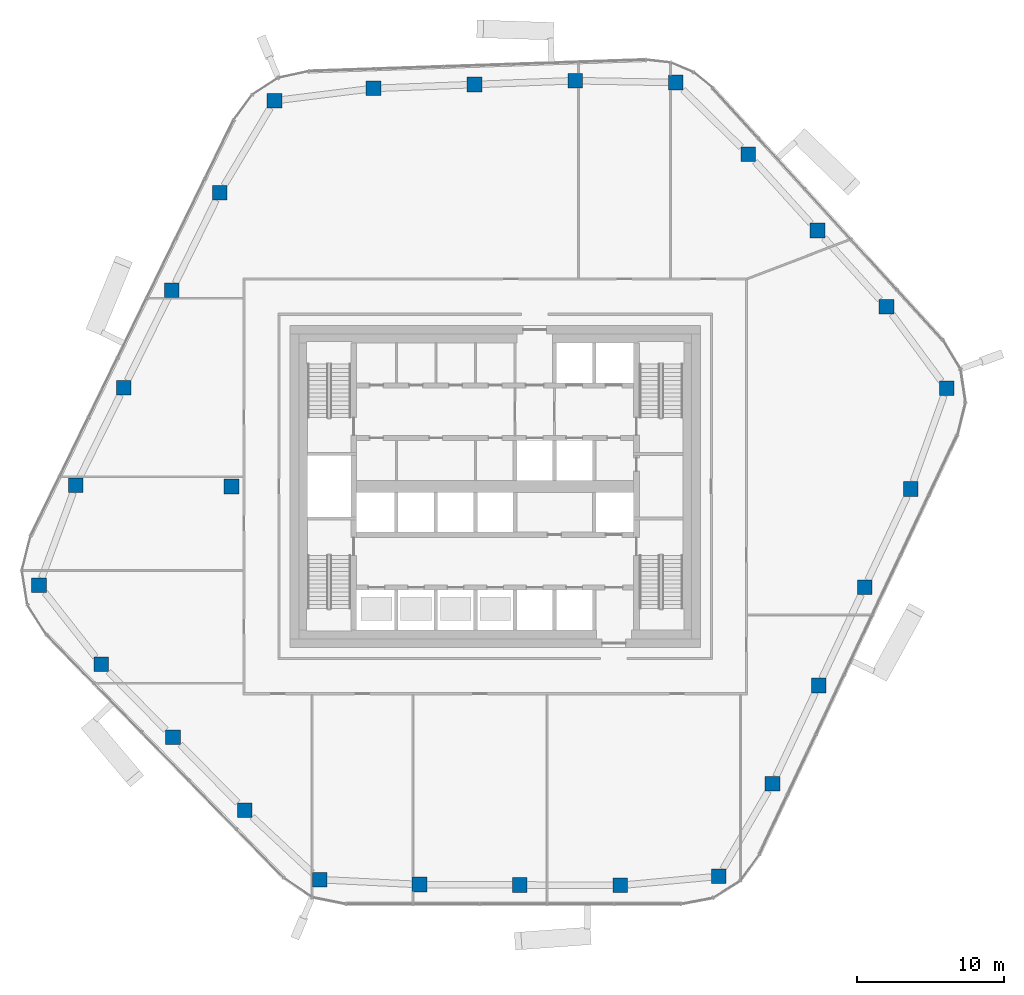
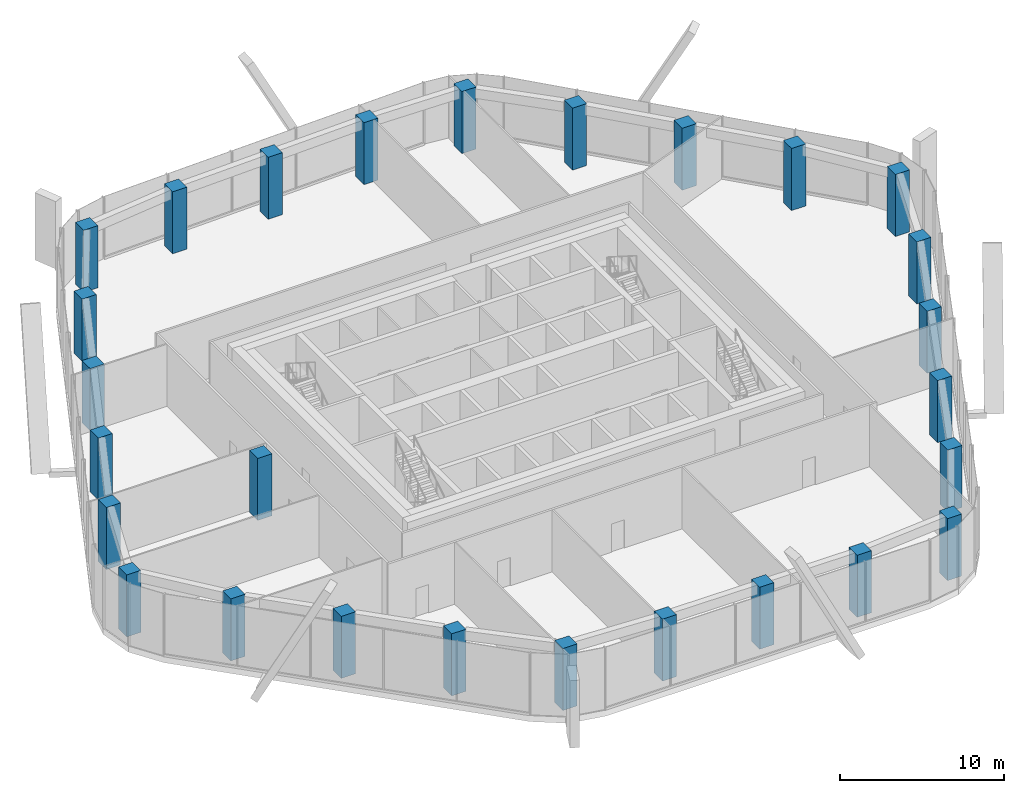
# One storey, part 1 of 20: 27 columns.
"""IFC4 building model written with IfcOpenShell, lengths in metres."""

import ifcopenshell
import ifcopenshell.guid

model = None  # the IFC model being written
_history = None  # IfcOwnerHistory: only IFC2X3 demands one
_inside = {}  # id of a spatial element -> (the spatial element, [elements in it])
_under = {}  # id of a project, library or spatial element -> (it, [spatial elements below it])
_declared = {}  # id of a project -> (the project, [libraries it declares])
_typed = {}  # id of a type object -> (the type object, [elements of that type])
_made_of = {}  # id of a material, layer set ... -> (it, [elements and type objects made of it])


def new_model(schema):
    """Start an empty IFC model of exactly this schema.

    Asked for "IFC4X3", IfcOpenShell would pick the latest addendum, in which some entities
    have other attributes; the version numbers below select the first issue.
    IFC2X3 requires an IfcOwnerHistory on every rooted entity: one is made here for all.
    """
    global model, _history
    if schema == "IFC4X3":
        model = ifcopenshell.file(schema_version=(4, 3, 0, 0))
    else:
        model = ifcopenshell.file(schema=schema)
    _inside.clear()
    _under.clear()
    _declared.clear()
    _typed.clear()
    _made_of.clear()
    _history = None
    if model.schema == "IFC2X3":
        org = make("IfcOrganization", Name="unknown")
        user = make(
            "IfcPersonAndOrganization",
            ThePerson=make("IfcPerson", FamilyName="unknown"),
            TheOrganization=org,
        )
        app = make(
            "IfcApplication",
            ApplicationDeveloper=org,
            Version="unknown",
            ApplicationFullName="unknown",
            ApplicationIdentifier="unknown",
        )
        _history = make(
            "IfcOwnerHistory",
            OwningUser=user,
            OwningApplication=app,
            ChangeAction="ADDED",
            CreationDate=0,
        )
    return model


def make(cls, **values):
    """One entity of the class cls with the attributes given. An attribute that is None is left unset."""
    return model.create_entity(
        cls, **{name: value for name, value in values.items() if value is not None}
    )


def rooted(cls, **values):
    """An entity with a GlobalId (a new one), such as an element, a storey or a relation."""
    return make(cls, GlobalId=ifcopenshell.guid.new(), OwnerHistory=_history, **values)


def si_unit(unit_type, name, prefix=None):
    """IfcSIUnit, for example si_unit("LENGTHUNIT", "METRE", prefix="MILLI")."""
    return make("IfcSIUnit", UnitType=unit_type, Prefix=prefix, Name=name)


def assignment(units):
    """IfcUnitAssignment: the units of a project."""
    return None if units is None else make("IfcUnitAssignment", Units=units)


def point(xyz):
    """IfcCartesianPoint."""
    return None if xyz is None else make("IfcCartesianPoint", Coordinates=xyz)


def direction(xyz):
    """IfcDirection."""
    return None if xyz is None else make("IfcDirection", DirectionRatios=xyz)


def frame(location, z_axis=None, x_axis=None):
    """IfcAxis2Placement3D, a coordinate frame: its origin and axes. An axis left out is left unset."""
    return make(
        "IfcAxis2Placement3D",
        Location=point(location),
        Axis=direction(z_axis),
        RefDirection=direction(x_axis),
    )


def frame_2d(location, x_axis=None):
    """IfcAxis2Placement2D, a coordinate frame in the plane: its origin and x axis."""
    return make(
        "IfcAxis2Placement2D", Location=point(location), RefDirection=direction(x_axis)
    )


def origin():
    """The frame at (0, 0, 0) with its axes left unset."""
    return frame((0.0, 0.0, 0.0))


def origin_2d():
    """The frame at (0, 0) in the plane with its x axis left unset."""
    return frame_2d((0.0, 0.0))


def place(relative_to, where):
    """IfcLocalPlacement: puts the frame where relative to a parent placement (None: the world)."""
    return make(
        "IfcLocalPlacement", PlacementRelTo=relative_to, RelativePlacement=where
    )


def context(
    kind, dimensions, precision=None, world=None, true_north=None, identifier=None
):
    """IfcGeometricRepresentationContext, for example the 3D "Model" context."""
    return make(
        "IfcGeometricRepresentationContext",
        ContextIdentifier=identifier,
        ContextType=kind,
        CoordinateSpaceDimension=dimensions,
        Precision=precision,
        WorldCoordinateSystem=world,
        TrueNorth=true_north,
    )


def subcontext(parent, identifier, kind, view, scale=None):
    """IfcGeometricRepresentationSubContext, for example "Body" below "Model"."""
    return make(
        "IfcGeometricRepresentationSubContext",
        ContextIdentifier=identifier,
        ContextType=kind,
        ParentContext=parent,
        TargetScale=scale,
        TargetView=view,
    )


def project(units=None, contexts=None):
    """IfcProject with its units and contexts."""
    return rooted(
        "IfcProject",
        Name="project",
        RepresentationContexts=contexts,
        UnitsInContext=assignment(units),
    )


def spatial(cls, under=None, at=None, **own):
    """A site, building, storey or space (cls), placed at a placement, below another one or the project."""
    s = rooted(cls, ObjectPlacement=at, **own)
    if under is not None:
        _under.setdefault(under.id(), (under, []))[1].append(s)
    return s


def profile(cls, at=None, kind="AREA", **sizes):
    """A parametric profile (cls). Its sizes go by their IFC names, for example OverallWidth=200.0."""
    return make(cls, ProfileType=kind, Position=at, **sizes)


def rectangle(**sizes):
    """IfcRectangleProfileDef."""
    return profile("IfcRectangleProfileDef", **sizes)


def extrude(swept, where, along, depth):
    """IfcExtrudedAreaSolid: the profile swept, set in the frame where, extruded along a direction by depth."""
    return make(
        "IfcExtrudedAreaSolid",
        SweptArea=swept,
        Position=where,
        ExtrudedDirection=direction(along),
        Depth=depth,
    )


def shape(context_of_items, identifier, shape_type, items):
    """IfcShapeRepresentation: the items that make up one representation, for example the "Body"."""
    return make(
        "IfcShapeRepresentation",
        ContextOfItems=context_of_items,
        RepresentationIdentifier=identifier,
        RepresentationType=shape_type,
        Items=items,
    )


def material(Name=None, Category=None):
    """IfcMaterial."""
    return make("IfcMaterial", Name=Name, Category=Category)


def material_profile(
    of_material, cross_section, Name=None, Category=None, Priority=None
):
    """IfcMaterialProfile: a cross section and its material."""
    return make(
        "IfcMaterialProfile",
        Name=Name,
        Material=of_material,
        Profile=cross_section,
        Priority=Priority,
        Category=Category,
    )


def profile_set(profiles, Name=None, composite=None):
    """IfcMaterialProfileSet."""
    return make(
        "IfcMaterialProfileSet",
        Name=Name,
        MaterialProfiles=profiles,
        CompositeProfile=composite,
    )


def made_of(thing, what):
    """Note that an element or type object is made of a material, layer set ...; save() writes the relation."""
    if what is not None:
        _made_of.setdefault(what.id(), (what, []))[1].append(thing)
    return thing


def type_object(cls, material=None, **own):
    """A type object (cls), such as IfcWallType, which elements share."""
    return made_of(rooted(cls, **own), material)


def element(
    cls,
    number,
    at=None,
    inside=None,
    cuts=None,
    type_object=None,
    material=None,
    context=None,
    identifier="Body",
    shape_type=None,
    held_by="IfcProductDefinitionShape",
    body=None,
    shapes=None,
    **own,
):
    """One element of the class cls, such as IfcWall. Its Tag is "e" and its number.

    at: its placement. inside: the storey or other place that contains it. cuts: it is an
    opening in that element (IfcRelVoidsElement). A single representation is given by context,
    identifier, shape_type and body (its items); several are given by shapes. held_by: the class
    of the entity that holds the representations. save() writes the other relations.
    """
    e = rooted(cls, Tag="e%d" % number, ObjectPlacement=at, **own)
    if body is not None:
        shapes = [shape(context, identifier, shape_type, body)]
    if shapes is not None:
        e.Representation = make(held_by, Representations=shapes)
    if inside is not None:
        _inside.setdefault(inside.id(), (inside, []))[1].append(e)
    if cuts is not None:
        rooted(
            "IfcRelVoidsElement", RelatingBuildingElement=cuts, RelatedOpeningElement=e
        )
    if type_object is not None:
        _typed.setdefault(type_object.id(), (type_object, []))[1].append(e)
    return made_of(e, material)


def aggregate(whole, parts):
    """IfcRelAggregates: a whole, such as a stair, and the parts it consists of."""
    return rooted("IfcRelAggregates", RelatingObject=whole, RelatedObjects=parts)


def save(model, path):
    """Write the relations noted so far, then the file.

    IfcRelAggregates (storeys below a building ...), IfcRelContainedInSpatialStructure (elements
    in a storey), IfcRelDefinesByType, IfcRelAssociatesMaterial and IfcRelDeclares: one each for
    every whole, place, type object, material and project.
    """
    for whole, parts in _under.values():
        aggregate(whole, parts)
    for where, things in _inside.values():
        rooted(
            "IfcRelContainedInSpatialStructure",
            RelatedElements=things,
            RelatingStructure=where,
        )
    for kind, things in _typed.values():
        rooted("IfcRelDefinesByType", RelatedObjects=things, RelatingType=kind)
    for what, things in _made_of.values():
        rooted("IfcRelAssociatesMaterial", RelatedObjects=things, RelatingMaterial=what)
    for by, libraries in _declared.values():
        rooted("IfcRelDeclares", RelatingContext=by, RelatedDefinitions=libraries)
    model.write(path)


model = new_model("IFC4")

# Units and contexts
model_context = context("Model", 3, precision=1e-05, world=origin(), true_north=direction((0.0, 1.0)))
body_context = subcontext(model_context, "Body", "Model", "MODEL_VIEW")
ifc_project = project(units=[si_unit("LENGTHUNIT", "METRE"), si_unit("AREAUNIT", "SQUARE_METRE"), si_unit("VOLUMEUNIT", "CUBIC_METRE"), si_unit("PLANEANGLEUNIT", "RADIAN"), si_unit("MASSUNIT", "GRAM", prefix="KILO")], contexts=[model_context])

# Site, building, storey
site_placement = place(None, origin())
site = spatial("IfcSite", under=ifc_project, at=site_placement, CompositionType="ELEMENT")
building_placement = place(site_placement, origin())
building = spatial("IfcBuilding", under=site, at=building_placement, Name="Dongbaek Canopy Tower", CompositionType="ELEMENT")
storey_placement = place(building_placement, frame((0.0, 0.0, 289.199951171875)))
storey = spatial("IfcBuildingStorey", under=building, at=storey_placement, Name="L61", CompositionType="ELEMENT", Elevation=289.199951171875)

# Columns
ifc_material = material(Name="Concrete C60", Category="concrete")
ifc_material_profile = material_profile(ifc_material, rectangle(XDim=1.0, YDim=1.0, at=origin_2d()), Name="RC COLUMN 1000x1000 C60")
ifc_profile_set = profile_set([ifc_material_profile], Name="Concrete C60")
column_type = type_object("IfcColumnType", Name="RC COLUMN 1000x1000 C60", PredefinedType="COLUMN", material=ifc_profile_set)
for number, where, z_axis, x_axis, name in (
    (1, (15.251953125, -26.60693359375, 0.0), (0.0, 0.0, 1.0), (1.0, 0.0, 0.0), "COL:CZ5-01:L61"),
    (2, (8.533935546875, -27.22705078125, 0.0), (0.0, 0.0, 1.0), (1.0, 0.0, 0.0), "COL:CZ5-02:L61"),
    (3, (1.68310546875, -27.197021484375, 0.0), (0.0, 0.0, 1.0), (1.0, 0.0, 0.0), "COL:CZ5-03:L61"),
    (4, (-5.166015625, -27.1669921875, 0.0), (0.0, 0.0, 1.0), (1.0, 0.0, 0.0), "COL:CZ5-04:L61"),
    (5, (-11.985107421875, -26.8310546875, 0.0), (0.0, 0.0, 1.0), (1.0, 0.0, 0.0), "COL:CZ5-05:L61"),
    (6, (-17.083984375, -22.089111328125, 0.0), (0.0, 0.0, 1.0), (1.0, 0.0, 0.0), "COL:CZ5-06:L61"),
    (7, (-21.986083984375, -17.112060546875, 0.0), (0.0, 0.0, 1.0), (1.0, 0.0, 0.0), "COL:CZ5-07:L61"),
    (8, (-26.888916015625, -12.134033203125, 0.0), (0.0, 0.0, 1.0), (1.0, 0.0, 0.0), "COL:CZ5-08:L61"),
    (9, (-31.12890625, -6.7451171875, 0.0), (0.0, 0.0, 1.0), (1.0, 0.0, 0.0), "COL:CZ5-09:L61"),
    (10, (-28.616943359375, 0.0859375, 0.0), (0.0, 0.0, 1.0), (1.0, 0.0, 0.0), "COL:CZ5-10:L61"),
    (11, (-25.346923828125, 6.735107421875, 0.0), (0.0, 0.0, 1.0), (1.0, 0.0, 0.0), "COL:CZ5-11:L61"),
    (12, (-22.075927734375, 13.384033203125, 0.0), (0.0, 0.0, 1.0), (1.0, 0.0, 0.0), "COL:CZ5-12:L61"),
    (13, (-18.805908203125, 20.031982421875, 0.0), (0.0, 0.0, 1.0), (1.0, 0.0, 0.0), "COL:CZ5-13:L61"),
    (14, (-15.06201171875, 26.321044921875, 0.0), (0.0, 0.0, 1.0), (1.0, 0.0, 0.0), "COL:CZ5-14:L61"),
    (15, (-8.30908203125, 27.1640625, 0.0), (0.0, 0.0, 1.0), (1.0, 0.0, 0.0), "COL:CZ5-15:L61"),
    (16, (-1.41796875, 27.427978515625, 0.0), (0.0, 0.0, 1.0), (1.0, 0.0, 0.0), "COL:CZ5-16:L61"),
    (17, (5.470947265625, 27.69189453125, 0.0), (0.0, 0.0, 1.0), (1.0, 0.0, 0.0), "COL:CZ5-17:L61"),
    (18, (12.31396484375, 27.56298828125, 0.0), (0.0, 0.0, 1.0), (1.0, 0.0, 0.0), "COL:CZ5-18:L61"),
    (19, (17.27587890625, 22.666015625, 0.0), (0.0, 0.0, 1.0), (1.0, 0.0, 0.0), "COL:CZ5-19:L61"),
    (20, (21.989990234375, 17.4619140625, 0.0), (0.0, 0.0, 1.0), (1.0, 0.0, 0.0), "COL:CZ5-20:L61"),
    (21, (26.702880859375, 12.257080078125, 0.0), (0.0, 0.0, 1.0), (1.0, 0.0, 0.0), "COL:CZ5-21:L61"),
    (22, (30.804931640625, 6.697998046875, 0.0), (0.0, 0.0, 1.0), (1.0, 0.0, 0.0), "COL:CZ5-22:L61"),
    (23, (28.35107421875, -0.169921875, 0.0), (0.0, 0.0, 1.0), (1.0, 0.0, 0.0), "COL:CZ5-23:L61"),
    (24, (25.2099609375, -6.87890625, 0.0), (0.0, 0.0, 1.0), (1.0, 0.0, 0.0), "COL:CZ5-24:L61"),
    (25, (22.068115234375, -13.587890625, 0.0), (0.0, 0.0, 1.0), (1.0, 0.0, 0.0), "COL:CZ5-25:L61"),
    (26, (18.925048828125, -20.2958984375, 0.0), (0.0, 0.0, 1.0), (1.0, 0.0, 0.0), "COL:CZ5-26:L61"),
    (27, (-18.0, 0.0, 0.0), (0.0, 0.0, 1.0), (1.0, 0.0, 0.0), "COL:CIZ5-01:L61"),
):
    element("IfcColumn", number, at=place(storey_placement, frame(where, z_axis=z_axis, x_axis=x_axis)), inside=storey, type_object=column_type, Name=name, PredefinedType="COLUMN", context=body_context, shape_type="SweptSolid", body=[
        extrude(rectangle(XDim=1.0, YDim=1.0, at=origin_2d()), origin(), (0.0, 0.0, 1.0), 4.6201171875),
    ])

save(model, "model.ifc")
